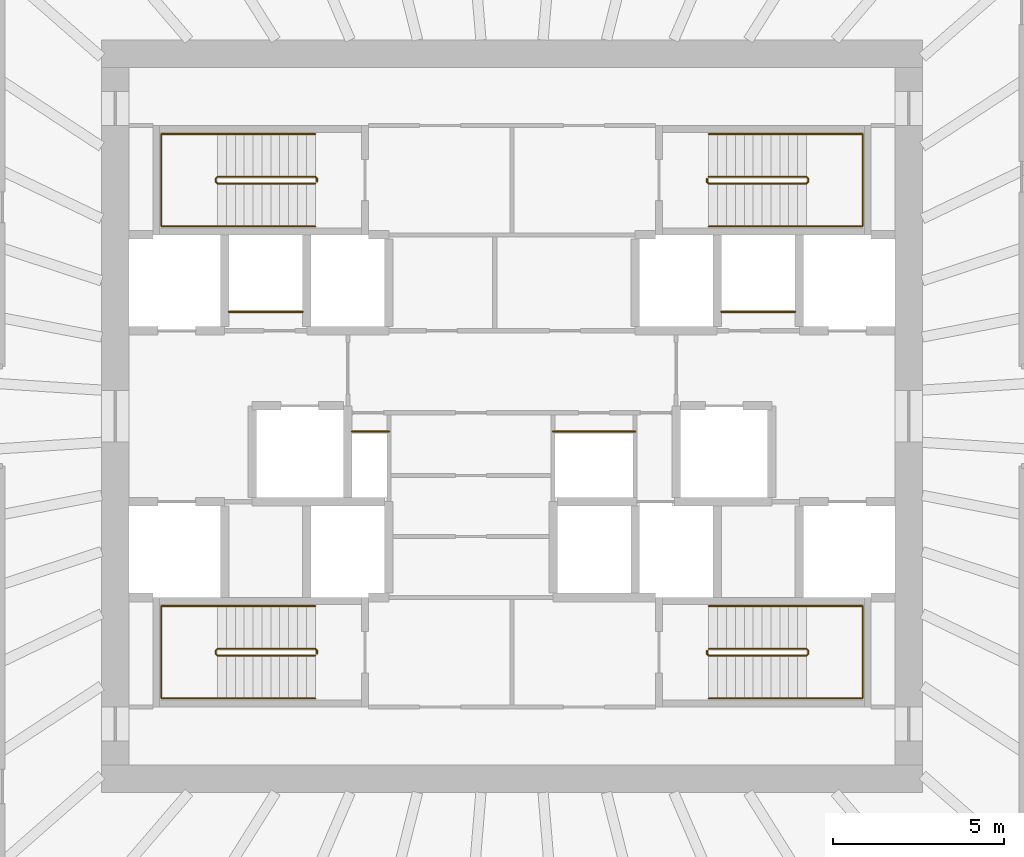
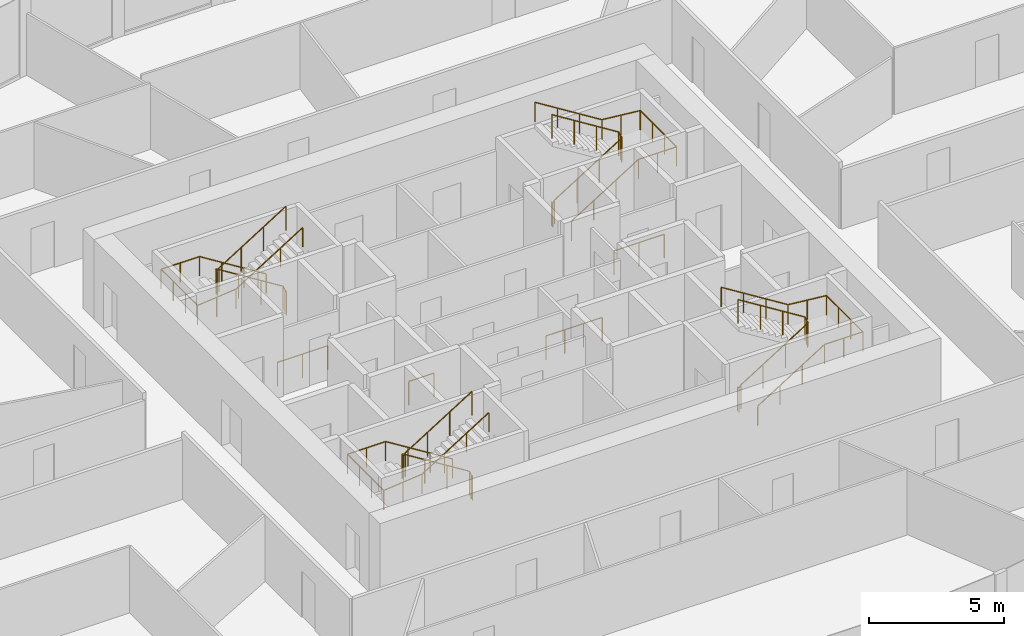
# One storey, part 11 of 11: 12 railings.
"""IFC4 building model written with IfcOpenShell, lengths in metres."""

from ifc_helpers import new_model, si_unit, direction, frame, origin, origin_2d, place, context, subcontext, project, spatial, circle, extrude, source, transform, mapped, material, type_object, element, save


model = new_model("IFC4")

# Units and contexts
model_context = context("Model", 3, precision=1e-05, world=origin(), true_north=direction((0.0, 1.0)))
body_context = subcontext(model_context, "Body", "Model", "MODEL_VIEW")
ifc_project = project(units=[si_unit("LENGTHUNIT", "METRE"), si_unit("AREAUNIT", "SQUARE_METRE"), si_unit("VOLUMEUNIT", "CUBIC_METRE"), si_unit("PLANEANGLEUNIT", "RADIAN"), si_unit("MASSUNIT", "GRAM", prefix="KILO")], contexts=[model_context])

# Site, building, storey
site_placement = place(None, origin())
site = spatial("IfcSite", under=ifc_project, at=site_placement, CompositionType="ELEMENT")
building_placement = place(site_placement, origin())
building = spatial("IfcBuilding", under=site, at=building_placement, Name="Embergate Tower", CompositionType="ELEMENT")
storey_placement = place(building_placement, frame((0.0, 0.0, 230.699951171875)))
storey = spatial("IfcBuildingStorey", under=building, at=storey_placement, Name="L53", CompositionType="ELEMENT", Elevation=230.699951171875)

# Railings
ifc_material_1 = material(Name="Stair guard 1100")
railing_type_1 = type_object("IfcRailingType", Name="Stair guard 1100", PredefinedType="GUARDRAIL", material=ifc_material_1)
shared_shape_1 = source(origin(), body_context, "Body", "SweptSolid", [
    extrude(circle(Radius=0.02392578125, at=origin_2d()), frame((0.0, 0.0, 1.076171875), z_axis=(0.0, 1.0, 0.0), x_axis=(-1.0, 0.0, 0.0)), (0.0, 0.0, 1.0), 0.099853515625),
    extrude(circle(Radius=0.02392578125, at=origin_2d()), frame((0.0, 0.099853515625, 1.076171875), z_axis=(-0.282227285176, 0.282227285176, 0.916894497205), x_axis=(-0.707106781187, -0.707106781187, 0.0)), (0.0, 0.0, 1.0), 0.17724609375),
    extrude(circle(Radius=0.02392578125, at=origin_2d()), frame((-0.050048828125, 0.14990234375, 1.23876953125), z_axis=(-0.848026770018, 0.0, 0.529953391661), x_axis=(0.0, -1.0, 0.0)), (0.0, 0.0, 1.0), 3.37255859375),
    extrude(circle(Radius=0.02392578125, at=origin_2d()), frame((-2.91015625, 0.14990234375, 3.02587890625), z_axis=(-0.705375805398, -0.708833529934, 0.0), x_axis=(0.708833529934, -0.705375805398, 0.0)), (0.0, 0.0, 1.0), 0.070556640625),
    extrude(circle(Radius=0.02392578125, at=origin_2d()), frame((-2.9599609375, 0.099853515625, 3.02587890625), z_axis=(0.0, -1.0, 0.0), x_axis=(1.0, 0.0, 0.0)), (0.0, 0.0, 1.0), 0.099853515625),
    extrude(circle(Radius=0.02392578125, at=origin_2d()), frame((-2.9599609375, 0.0, 3.02587890625), z_axis=(0.280959487676, -0.282336740067, 0.917250092119), x_axis=(0.708833529934, 0.705375805398, 0.0)), (0.0, 0.0, 1.0), 0.17724609375),
    extrude(circle(Radius=0.02392578125, at=origin_2d()), frame((-2.91015625, -0.050048828125, 3.1884765625), z_axis=(0.847994237388, 0.0, 0.530005446535), x_axis=(0.0, 1.0, 0.0)), (0.0, 0.0, 1.0), 3.372802734375),
    extrude(circle(Radius=0.02099609375, at=origin_2d()), origin(), (0.0, 0.0, 1.0), 1.052001953125),
    extrude(circle(Radius=0.02099609375, at=origin_2d()), frame((0.0, 0.099853515625, 0.0)), (0.0, 0.0, 1.0), 1.052001953125),
    extrude(circle(Radius=0.02099609375, at=origin_2d()), frame((-0.050048828125, 0.14990234375, 0.16259765625)), (0.0, 0.0, 1.0), 1.052001953125),
    extrude(circle(Radius=0.02099609375, at=origin_2d()), frame((-1.00341796875, 0.14990234375, 0.75830078125)), (0.0, 0.0, 1.0), 1.052001953125),
    extrude(circle(Radius=0.02099609375, at=origin_2d()), frame((-1.956787109375, 0.14990234375, 1.354248046875)), (0.0, 0.0, 1.0), 1.052001953125),
    extrude(circle(Radius=0.02099609375, at=origin_2d()), frame((-2.91015625, 0.14990234375, 1.949951171875)), (0.0, 0.0, 1.0), 1.052001953125),
    extrude(circle(Radius=0.02099609375, at=origin_2d()), frame((-2.9599609375, 0.099853515625, 1.949951171875)), (0.0, 0.0, 1.0), 1.052001953125),
    extrude(circle(Radius=0.02099609375, at=origin_2d()), frame((-2.9599609375, 0.0, 1.949951171875)), (0.0, 0.0, 1.0), 1.052001953125),
    extrude(circle(Radius=0.02099609375, at=origin_2d()), frame((-2.91015625, -0.050048828125, 2.112548828125)), (0.0, 0.0, 1.0), 1.052001953125),
    extrude(circle(Radius=0.02099609375, at=origin_2d()), frame((-1.956787109375, -0.050048828125, 2.70849609375)), (0.0, 0.0, 1.0), 1.052001953125),
    extrude(circle(Radius=0.02099609375, at=origin_2d()), frame((-1.00341796875, -0.050048828125, 3.30419921875)), (0.0, 0.0, 1.0), 1.052001953125),
    extrude(circle(Radius=0.02099609375, at=origin_2d()), frame((-0.050048828125, -0.050048828125, 3.900146484375)), (0.0, 0.0, 1.0), 1.052001953125),
])
for number, where, name in (
    (1, (-5.699951171875, 6.85009765625, 0.0), "L53 ST1 stair guard 1"),
    (2, (-5.699951171875, -6.949951171875, 0.0), "L53 ST3 stair guard 1"),
):
    element("IfcRailing", number, at=place(storey_placement, frame(where)), inside=storey, type_object=railing_type_1, Name=name, PredefinedType="GUARDRAIL", context=body_context, shape_type="MappedRepresentation", body=[
        mapped(shared_shape_1, transform((0.0, 0.0, 0.0))),
    ])
ifc_material_2 = material(Name="Stair handrail 900")
railing_type_2 = type_object("IfcRailingType", Name="Stair handrail 900", PredefinedType="HANDRAIL", material=ifc_material_2)
shared_shape_2 = source(origin(), body_context, "Body", "SweptSolid", [
    extrude(circle(Radius=0.02392578125, at=origin_2d()), frame((0.0, 0.0, 0.8759765625), z_axis=(-0.848026770018, 0.0, 0.529953391661), x_axis=(0.0, -1.0, 0.0)), (0.0, 0.0, 1.0), 3.37255859375),
    extrude(circle(Radius=0.02392578125, at=origin_2d()), frame((-2.860107421875, 0.0, 2.6630859375), z_axis=(-1.0, 0.0, 0.0), x_axis=(0.0, -1.0, 0.0)), (0.0, 0.0, 1.0), 1.639892578125),
    extrude(circle(Radius=0.02392578125, at=origin_2d()), frame((-4.5, 0.0, 2.6630859375), z_axis=(0.0, -1.0, 0.0), x_axis=(1.0, 0.0, 0.0)), (0.0, 0.0, 1.0), 2.699951171875),
    extrude(circle(Radius=0.02392578125, at=origin_2d()), frame((-4.5, -2.699951171875, 2.6630859375), z_axis=(0.995120448088, 0.0, 0.098667592441), x_axis=(0.0, 1.0, 0.0)), (0.0, 0.0, 1.0), 1.64794921875),
    extrude(circle(Radius=0.02392578125, at=origin_2d()), frame((-2.860107421875, -2.699951171875, 2.82568359375), z_axis=(0.847994237388, 0.0, 0.530005446535), x_axis=(0.0, 1.0, 0.0)), (0.0, 0.0, 1.0), 3.372802734375),
    extrude(circle(Radius=0.02099609375, at=origin_2d()), origin(), (0.0, 0.0, 1.0), 0.851806640625),
    extrude(circle(Radius=0.02099609375, at=origin_2d()), frame((-0.953369140625, 0.0, 0.595703125)), (0.0, 0.0, 1.0), 0.851806640625),
    extrude(circle(Radius=0.02099609375, at=origin_2d()), frame((-1.90673828125, 0.0, 1.191650390625)), (0.0, 0.0, 1.0), 0.851806640625),
    extrude(circle(Radius=0.02099609375, at=origin_2d()), frame((-2.860107421875, 0.0, 1.787353515625)), (0.0, 0.0, 1.0), 0.851806640625),
    extrude(circle(Radius=0.02099609375, at=origin_2d()), frame((-3.68017578125, 0.0, 1.787353515625)), (0.0, 0.0, 1.0), 0.851806640625),
    extrude(circle(Radius=0.02099609375, at=origin_2d()), frame((-4.5, 0.0, 1.787353515625)), (0.0, 0.0, 1.0), 0.851806640625),
    extrude(circle(Radius=0.02099609375, at=origin_2d()), frame((-4.5, -0.89990234375, 1.787353515625)), (0.0, 0.0, 1.0), 0.851806640625),
    extrude(circle(Radius=0.02099609375, at=origin_2d()), frame((-4.5, -1.800048828125, 1.787353515625)), (0.0, 0.0, 1.0), 0.851806640625),
    extrude(circle(Radius=0.02099609375, at=origin_2d()), frame((-4.5, -2.699951171875, 1.787353515625)), (0.0, 0.0, 1.0), 0.851806640625),
    extrude(circle(Radius=0.02099609375, at=origin_2d()), frame((-3.68017578125, -2.699951171875, 1.86865234375)), (0.0, 0.0, 1.0), 0.851806640625),
    extrude(circle(Radius=0.02099609375, at=origin_2d()), frame((-2.860107421875, -2.699951171875, 1.949951171875)), (0.0, 0.0, 1.0), 0.851806640625),
    extrude(circle(Radius=0.02099609375, at=origin_2d()), frame((-1.90673828125, -2.699951171875, 2.5458984375)), (0.0, 0.0, 1.0), 0.851806640625),
    extrude(circle(Radius=0.02099609375, at=origin_2d()), frame((-0.953369140625, -2.699951171875, 3.1416015625)), (0.0, 0.0, 1.0), 0.851806640625),
    extrude(circle(Radius=0.02099609375, at=origin_2d()), frame((0.0, -2.699951171875, 3.737548828125)), (0.0, 0.0, 1.0), 0.851806640625),
])
for number, where, name in (
    (3, (-5.75, 8.25, 0.16259765625), "L53 ST1 stair handrail 1"),
    (4, (-5.75, -5.550048828125, 0.16259765625), "L53 ST3 stair handrail 1"),
):
    element("IfcRailing", number, at=place(storey_placement, frame(where)), inside=storey, type_object=railing_type_2, Name=name, PredefinedType="HANDRAIL", context=body_context, shape_type="MappedRepresentation", body=[
        mapped(shared_shape_2, transform((0.0, 0.0, 0.0))),
    ])
shared_shape_3 = source(origin(), body_context, "Body", "SweptSolid", [
    extrude(circle(Radius=0.02392578125, at=origin_2d()), frame((0.0, 0.0, 1.076171875), z_axis=(0.0, -1.0, 0.0), x_axis=(1.0, 0.0, 0.0)), (0.0, 0.0, 1.0), 0.099853515625),
    extrude(circle(Radius=0.02392578125, at=origin_2d()), frame((0.0, -0.099853515625, 1.076171875), z_axis=(0.282227285176, -0.282227285176, 0.916894497205), x_axis=(0.707106781187, 0.707106781187, 0.0)), (0.0, 0.0, 1.0), 0.17724609375),
    extrude(circle(Radius=0.02392578125, at=origin_2d()), frame((0.050048828125, -0.14990234375, 1.23876953125), z_axis=(0.848026770018, 0.0, 0.529953391661), x_axis=(0.0, 1.0, 0.0)), (0.0, 0.0, 1.0), 3.37255859375),
    extrude(circle(Radius=0.02392578125, at=origin_2d()), frame((2.91015625, -0.14990234375, 3.02587890625), z_axis=(0.705375805398, 0.708833529934, 0.0), x_axis=(-0.708833529934, 0.705375805398, 0.0)), (0.0, 0.0, 1.0), 0.070556640625),
    extrude(circle(Radius=0.02392578125, at=origin_2d()), frame((2.9599609375, -0.099853515625, 3.02587890625), z_axis=(0.0, 1.0, 0.0), x_axis=(-1.0, 0.0, 0.0)), (0.0, 0.0, 1.0), 0.099853515625),
    extrude(circle(Radius=0.02392578125, at=origin_2d()), frame((2.9599609375, 0.0, 3.02587890625), z_axis=(-0.280959487676, 0.282336740067, 0.917250092119), x_axis=(-0.708833529934, -0.705375805398, 0.0)), (0.0, 0.0, 1.0), 0.17724609375),
    extrude(circle(Radius=0.02392578125, at=origin_2d()), frame((2.91015625, 0.050048828125, 3.1884765625), z_axis=(-0.847994237388, 0.0, 0.530005446535), x_axis=(0.0, -1.0, 0.0)), (0.0, 0.0, 1.0), 3.372802734375),
    extrude(circle(Radius=0.02099609375, at=origin_2d()), origin(), (0.0, 0.0, 1.0), 1.052001953125),
    extrude(circle(Radius=0.02099609375, at=origin_2d()), frame((0.0, -0.099853515625, 0.0)), (0.0, 0.0, 1.0), 1.052001953125),
    extrude(circle(Radius=0.02099609375, at=origin_2d()), frame((0.050048828125, -0.14990234375, 0.16259765625)), (0.0, 0.0, 1.0), 1.052001953125),
    extrude(circle(Radius=0.02099609375, at=origin_2d()), frame((1.00341796875, -0.14990234375, 0.75830078125)), (0.0, 0.0, 1.0), 1.052001953125),
    extrude(circle(Radius=0.02099609375, at=origin_2d()), frame((1.956787109375, -0.14990234375, 1.354248046875)), (0.0, 0.0, 1.0), 1.052001953125),
    extrude(circle(Radius=0.02099609375, at=origin_2d()), frame((2.91015625, -0.14990234375, 1.949951171875)), (0.0, 0.0, 1.0), 1.052001953125),
    extrude(circle(Radius=0.02099609375, at=origin_2d()), frame((2.9599609375, -0.099853515625, 1.949951171875)), (0.0, 0.0, 1.0), 1.052001953125),
    extrude(circle(Radius=0.02099609375, at=origin_2d()), frame((2.9599609375, 0.0, 1.949951171875)), (0.0, 0.0, 1.0), 1.052001953125),
    extrude(circle(Radius=0.02099609375, at=origin_2d()), frame((2.91015625, 0.050048828125, 2.112548828125)), (0.0, 0.0, 1.0), 1.052001953125),
    extrude(circle(Radius=0.02099609375, at=origin_2d()), frame((1.956787109375, 0.050048828125, 2.70849609375)), (0.0, 0.0, 1.0), 1.052001953125),
    extrude(circle(Radius=0.02099609375, at=origin_2d()), frame((1.00341796875, 0.050048828125, 3.30419921875)), (0.0, 0.0, 1.0), 1.052001953125),
    extrude(circle(Radius=0.02099609375, at=origin_2d()), frame((0.050048828125, 0.050048828125, 3.900146484375)), (0.0, 0.0, 1.0), 1.052001953125),
])
for number, where, name in (
    (5, (5.699951171875, 6.949951171875, 0.0), "L53 ST2 stair guard 1"),
    (6, (5.699951171875, -6.85009765625, 0.0), "L53 ST4 stair guard 1"),
):
    element("IfcRailing", number, at=place(storey_placement, frame(where)), inside=storey, type_object=railing_type_1, Name=name, PredefinedType="GUARDRAIL", context=body_context, shape_type="MappedRepresentation", body=[
        mapped(shared_shape_3, transform((0.0, 0.0, 0.0))),
    ])
shared_shape_4 = source(origin(), body_context, "Body", "SweptSolid", [
    extrude(circle(Radius=0.02392578125, at=origin_2d()), frame((0.0, 0.0, 0.8759765625), z_axis=(0.848026770018, 0.0, 0.529953391661), x_axis=(0.0, 1.0, 0.0)), (0.0, 0.0, 1.0), 3.37255859375),
    extrude(circle(Radius=0.02392578125, at=origin_2d()), frame((2.860107421875, 0.0, 2.6630859375), z_axis=(1.0, 0.0, 0.0), x_axis=(0.0, 1.0, 0.0)), (0.0, 0.0, 1.0), 1.639892578125),
    extrude(circle(Radius=0.02392578125, at=origin_2d()), frame((4.5, 0.0, 2.6630859375), z_axis=(0.0, 1.0, 0.0), x_axis=(-1.0, 0.0, 0.0)), (0.0, 0.0, 1.0), 2.699951171875),
    extrude(circle(Radius=0.02392578125, at=origin_2d()), frame((4.5, 2.699951171875, 2.6630859375), z_axis=(-0.995120448088, 0.0, 0.098667592441), x_axis=(0.0, -1.0, 0.0)), (0.0, 0.0, 1.0), 1.64794921875),
    extrude(circle(Radius=0.02392578125, at=origin_2d()), frame((2.860107421875, 2.699951171875, 2.82568359375), z_axis=(-0.847994237388, 0.0, 0.530005446535), x_axis=(0.0, -1.0, 0.0)), (0.0, 0.0, 1.0), 3.372802734375),
    extrude(circle(Radius=0.02099609375, at=origin_2d()), origin(), (0.0, 0.0, 1.0), 0.851806640625),
    extrude(circle(Radius=0.02099609375, at=origin_2d()), frame((0.953369140625, 0.0, 0.595703125)), (0.0, 0.0, 1.0), 0.851806640625),
    extrude(circle(Radius=0.02099609375, at=origin_2d()), frame((1.90673828125, 0.0, 1.191650390625)), (0.0, 0.0, 1.0), 0.851806640625),
    extrude(circle(Radius=0.02099609375, at=origin_2d()), frame((2.860107421875, 0.0, 1.787353515625)), (0.0, 0.0, 1.0), 0.851806640625),
    extrude(circle(Radius=0.02099609375, at=origin_2d()), frame((3.68017578125, 0.0, 1.787353515625)), (0.0, 0.0, 1.0), 0.851806640625),
    extrude(circle(Radius=0.02099609375, at=origin_2d()), frame((4.5, 0.0, 1.787353515625)), (0.0, 0.0, 1.0), 0.851806640625),
    extrude(circle(Radius=0.02099609375, at=origin_2d()), frame((4.5, 0.89990234375, 1.787353515625)), (0.0, 0.0, 1.0), 0.851806640625),
    extrude(circle(Radius=0.02099609375, at=origin_2d()), frame((4.5, 1.800048828125, 1.787353515625)), (0.0, 0.0, 1.0), 0.851806640625),
    extrude(circle(Radius=0.02099609375, at=origin_2d()), frame((4.5, 2.699951171875, 1.787353515625)), (0.0, 0.0, 1.0), 0.851806640625),
    extrude(circle(Radius=0.02099609375, at=origin_2d()), frame((3.68017578125, 2.699951171875, 1.86865234375)), (0.0, 0.0, 1.0), 0.851806640625),
    extrude(circle(Radius=0.02099609375, at=origin_2d()), frame((2.860107421875, 2.699951171875, 1.949951171875)), (0.0, 0.0, 1.0), 0.851806640625),
    extrude(circle(Radius=0.02099609375, at=origin_2d()), frame((1.90673828125, 2.699951171875, 2.5458984375)), (0.0, 0.0, 1.0), 0.851806640625),
    extrude(circle(Radius=0.02099609375, at=origin_2d()), frame((0.953369140625, 2.699951171875, 3.1416015625)), (0.0, 0.0, 1.0), 0.851806640625),
    extrude(circle(Radius=0.02099609375, at=origin_2d()), frame((0.0, 2.699951171875, 3.737548828125)), (0.0, 0.0, 1.0), 0.851806640625),
])
for number, where, name in (
    (7, (5.75, 5.550048828125, 0.16259765625), "L53 ST2 stair handrail 1"),
    (8, (5.75, -8.25, 0.16259765625), "L53 ST4 stair handrail 1"),
):
    element("IfcRailing", number, at=place(storey_placement, frame(where)), inside=storey, type_object=railing_type_2, Name=name, PredefinedType="HANDRAIL", context=body_context, shape_type="MappedRepresentation", body=[
        mapped(shared_shape_4, transform((0.0, 0.0, 0.0))),
    ])
ifc_material_3 = material(Name="Opening guard 1100")
railing_type_3 = type_object("IfcRailingType", Name="Opening guard 1100", PredefinedType="GUARDRAIL", material=ifc_material_3)
shared_shape_5 = source(origin(), body_context, "Body", "SweptSolid", [
    extrude(circle(Radius=0.02392578125, at=origin_2d()), frame((0.0, 0.0, 1.076171875), z_axis=(1.0, 0.0, 0.0), x_axis=(0.0, 1.0, 0.0)), (0.0, 0.0, 1.0), 2.14990234375),
    extrude(circle(Radius=0.02099609375, at=origin_2d()), origin(), (0.0, 0.0, 1.0), 1.052001953125),
    extrude(circle(Radius=0.02099609375, at=origin_2d()), frame((1.074951171875, 0.0, 0.0)), (0.0, 0.0, 1.0), 1.052001953125),
    extrude(circle(Radius=0.02099609375, at=origin_2d()), frame((2.14990234375, 0.0, 0.0)), (0.0, 0.0, 1.0), 1.052001953125),
])
for number, where, name in (
    (9, (-8.27490234375, 3.050048828125, 0.0), "Riser opening guard"),
    (10, (6.125, 3.050048828125, 0.0), "Riser opening guard"),
):
    element("IfcRailing", number, at=place(storey_placement, frame(where)), inside=storey, type_object=railing_type_3, Name=name, PredefinedType="GUARDRAIL", context=body_context, shape_type="MappedRepresentation", body=[
        mapped(shared_shape_5, transform((0.0, 0.0, 0.0))),
    ])
shared_shape_6 = source(origin(), body_context, "Body", "SweptSolid", [
    extrude(circle(Radius=0.02392578125, at=origin_2d()), frame((0.0, 0.0, 1.076171875), z_axis=(1.0, 0.0, 0.0), x_axis=(0.0, 1.0, 0.0)), (0.0, 0.0, 1.0), 1.074951171875),
    extrude(circle(Radius=0.02099609375, at=origin_2d()), origin(), (0.0, 0.0, 1.0), 1.052001953125),
    extrude(circle(Radius=0.02099609375, at=origin_2d()), frame((1.074951171875, 0.0, 0.0)), (0.0, 0.0, 1.0), 1.052001953125),
])
railing_1_placement = place(storey_placement, frame((-4.675048828125, -0.449951171875, 0.0)))
element("IfcRailing", 11, at=railing_1_placement, inside=storey, type_object=railing_type_3, Name="Riser opening guard", PredefinedType="GUARDRAIL", context=body_context, shape_type="MappedRepresentation", body=[
    mapped(shared_shape_6, transform((0.0, 0.0, 0.0))),
])
shared_shape_7 = source(origin(), body_context, "Body", "SweptSolid", [
    extrude(circle(Radius=0.02392578125, at=origin_2d()), frame((0.0, 0.0, 1.076171875), z_axis=(1.0, 0.0, 0.0), x_axis=(0.0, 1.0, 0.0)), (0.0, 0.0, 1.0), 2.400146484375),
    extrude(circle(Radius=0.02099609375, at=origin_2d()), origin(), (0.0, 0.0, 1.0), 1.052001953125),
    extrude(circle(Radius=0.02099609375, at=origin_2d()), frame((0.800048828125, 0.0, 0.0)), (0.0, 0.0, 1.0), 1.052001953125),
    extrude(circle(Radius=0.02099609375, at=origin_2d()), frame((1.60009765625, 0.0, 0.0)), (0.0, 0.0, 1.0), 1.052001953125),
    extrude(circle(Radius=0.02099609375, at=origin_2d()), frame((2.400146484375, 0.0, 0.0)), (0.0, 0.0, 1.0), 1.052001953125),
])
railing_2_placement = place(storey_placement, frame((1.199951171875, -0.449951171875, 0.0)))
element("IfcRailing", 12, at=railing_2_placement, inside=storey, type_object=railing_type_3, Name="Riser opening guard", PredefinedType="GUARDRAIL", context=body_context, shape_type="MappedRepresentation", body=[
    mapped(shared_shape_7, transform((0.0, 0.0, 0.0))),
])

save(model, "model.ifc")
